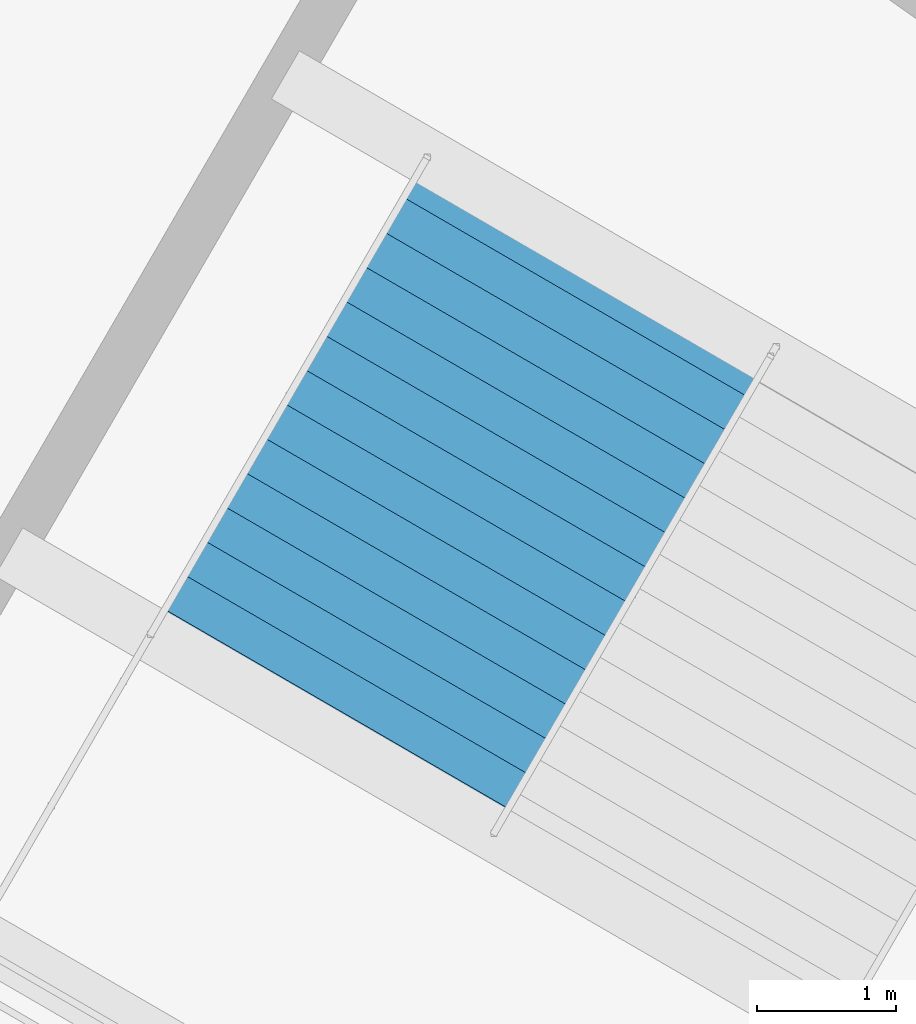
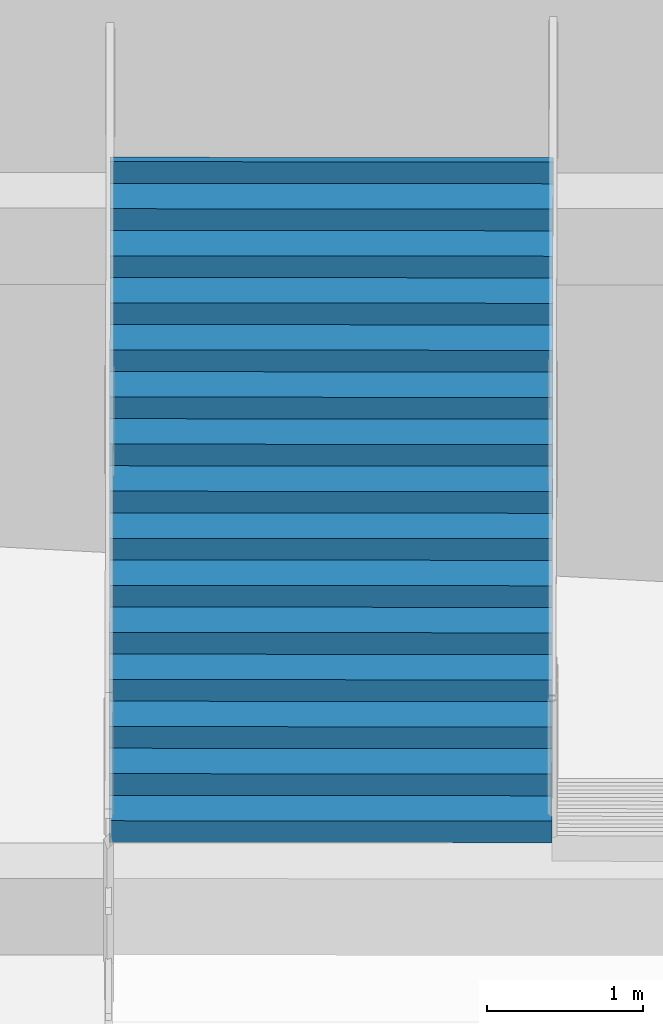
# One storey, part 168 of 184: 1 stair flight, 1 element without a shape of its own.
"""IFC4 building model written with IfcOpenShell, lengths in metres."""

from ifc_helpers import new_model, si_unit, direction, frame, origin, place, context, subcontext, project, spatial, polygons, material, type_object, element, aggregate, save


model = new_model("IFC4")

# Units and contexts
model_context = context("Model", 3, precision=1e-05, world=origin(), true_north=direction((0.0, 1.0)))
body_context = subcontext(model_context, "Body", "Model", "MODEL_VIEW")
ifc_project = project(units=[si_unit("LENGTHUNIT", "METRE"), si_unit("AREAUNIT", "SQUARE_METRE"), si_unit("VOLUMEUNIT", "CUBIC_METRE"), si_unit("PLANEANGLEUNIT", "RADIAN"), si_unit("MASSUNIT", "GRAM", prefix="KILO")], contexts=[model_context])

# Site, building, storey
site_placement = place(None, origin())
site = spatial("IfcSite", under=ifc_project, at=site_placement, CompositionType="ELEMENT")
building_placement = place(site_placement, origin())
building = spatial("IfcBuilding", under=site, at=building_placement, Name="Kazemori Nagisa Stadium", CompositionType="ELEMENT")
storey_placement = place(building_placement, frame((0.0, 0.0, 10.5400390625)))
storey = spatial("IfcBuildingStorey", under=building, at=storey_placement, Name="L02", CompositionType="ELEMENT", Elevation=10.5400390625)

# Stair, stair flight
ifc_material = material(Name="Concrete C36/45 (Fc36)", Category="concrete")
stair_type = type_object("IfcStairType", Name="Stair_CORE_30", PredefinedType="TWO_STRAIGHT_RUN_STAIR", material=ifc_material)
stair_placement = place(storey_placement, origin())
stair = element("IfcStair", 1, at=stair_placement, inside=storey, type_object=stair_type, Name="Exit stair ST08 L02", PredefinedType="TWO_STRAIGHT_RUN_STAIR")
stair_flight_type = type_object("IfcStairFlightType", Name="Flight_CORE_15", PredefinedType="STRAIGHT", material=ifc_material)
stair_flight_placement = place(storey_placement, frame((45.01123046875, 148.590087890625, 2.550048828125), z_axis=(0.0, 0.0, 1.0), x_axis=(0.501624683017, 0.86508535844, 0.0)))
stair_flight = element("IfcStairFlight", 2, at=stair_flight_placement, type_object=stair_flight_type, Name="Exit stair ST08 L02 flight 2", NumberOfRisers=15, NumberOfTreads=14, PredefinedType="STRAIGHT", RiserHeight=0.17, TreadLength=0.285, context=body_context, shape_type="Tessellation", body=[
    polygons([(0.0, -1.425048828125, 0.0), (0.0, -1.425048828125, 0.169921875), (0.284912109375, -1.425048828125, 0.169921875), (0.284912109375, -1.425048828125, 0.340087890625), (0.570068359375, -1.425048828125, 0.340087890625), (0.570068359375, -1.425048828125, 0.510009765625), (0.85498046875, -1.425048828125, 0.510009765625), (0.85498046875, -1.425048828125, 0.679931640625), (1.139892578125, -1.425048828125, 0.679931640625), (1.139892578125, -1.425048828125, 0.85009765625), (1.425048828125, -1.425048828125, 0.85009765625), (1.425048828125, -1.425048828125, 1.02001953125), (1.7099609375, -1.425048828125, 1.02001953125), (1.7099609375, -1.425048828125, 1.18994140625), (1.9951171875, -1.425048828125, 1.18994140625), (1.9951171875, -1.425048828125, 1.360107421875), (2.280029296875, -1.425048828125, 1.360107421875), (2.280029296875, -1.425048828125, 1.530029296875), (2.56494140625, -1.425048828125, 1.530029296875), (2.56494140625, -1.425048828125, 1.699951171875), (2.85009765625, -1.425048828125, 1.699951171875), (2.85009765625, -1.425048828125, 1.8701171875), (3.135009765625, -1.425048828125, 1.8701171875), (3.135009765625, -1.425048828125, 2.0400390625), (3.419921875, -1.425048828125, 2.0400390625), (3.419921875, -1.425048828125, 2.2099609375), (3.705078125, -1.425048828125, 2.2099609375), (3.705078125, -1.425048828125, 2.3798828125), (3.989990234375, -1.425048828125, 2.3798828125), (3.989990234375, -1.425048828125, 2.550048828125), (4.0400390625, -1.425048828125, 2.550048828125), (4.0400390625, -1.425048828125, 2.177001953125), (3.989990234375, -1.425048828125, 2.147216796875), (3.705078125, -1.425048828125, 1.977294921875), (3.419921875, -1.425048828125, 1.80712890625), (3.135009765625, -1.425048828125, 1.63720703125), (2.85009765625, -1.425048828125, 1.46728515625), (2.56494140625, -1.425048828125, 1.297119140625), (2.280029296875, -1.425048828125, 1.127197265625), (1.9951171875, -1.425048828125, 0.957275390625), (1.7099609375, -1.425048828125, 0.787109375), (1.425048828125, -1.425048828125, 0.6171875), (1.139892578125, -1.425048828125, 0.447265625), (0.85498046875, -1.425048828125, 0.277099609375), (0.570068359375, -1.425048828125, 0.107177734375), (0.284912109375, -1.425048828125, 0.0), (0.0, -0.08544921875, 0.0), (0.0, -0.08544921875, 0.169921875), (0.284912109375, -0.08544921875, 0.169921875), (0.284912109375, -0.08544921875, 0.340087890625), (0.570068359375, -0.08544921875, 0.340087890625), (0.570068359375, -0.08544921875, 0.510009765625), (0.85498046875, -0.08544921875, 0.510009765625), (0.85498046875, -0.08544921875, 0.679931640625), (1.139892578125, -0.08544921875, 0.679931640625), (1.139892578125, -0.08544921875, 0.85009765625), (1.425048828125, -0.08544921875, 0.85009765625), (1.425048828125, -0.08544921875, 1.02001953125), (1.7099609375, -0.08544921875, 1.02001953125), (1.7099609375, -0.08544921875, 1.18994140625), (1.9951171875, -0.08544921875, 1.18994140625), (1.9951171875, -0.08544921875, 1.360107421875), (2.280029296875, -0.08544921875, 1.360107421875), (2.280029296875, -0.08544921875, 1.530029296875), (2.56494140625, -0.08544921875, 1.530029296875), (2.56494140625, -0.08544921875, 1.699951171875), (2.85009765625, -0.08544921875, 1.699951171875), (2.85009765625, -0.08544921875, 1.8701171875), (3.135009765625, -0.08544921875, 1.8701171875), (3.135009765625, -0.08544921875, 2.0400390625), (3.419921875, -0.08544921875, 2.0400390625), (3.419921875, -0.08544921875, 2.2099609375), (3.705078125, -0.08544921875, 2.2099609375), (3.705078125, -0.08544921875, 2.3798828125), (3.989990234375, -0.08544921875, 2.3798828125), (3.989990234375, -0.08544921875, 2.550048828125), (4.0400390625, -0.08544921875, 2.550048828125), (4.0400390625, -0.08544921875, 2.177001953125), (3.989990234375, -0.08544921875, 2.147216796875), (3.705078125, -0.08544921875, 1.977294921875), (3.419921875, -0.08544921875, 1.80712890625), (3.135009765625, -0.08544921875, 1.63720703125), (2.85009765625, -0.08544921875, 1.46728515625), (2.56494140625, -0.08544921875, 1.297119140625), (2.280029296875, -0.08544921875, 1.127197265625), (1.9951171875, -0.08544921875, 0.957275390625), (1.7099609375, -0.08544921875, 0.787109375), (1.425048828125, -0.08544921875, 0.6171875), (1.139892578125, -0.08544921875, 0.447265625), (0.85498046875, -0.08544921875, 0.277099609375), (0.570068359375, -0.08544921875, 0.107177734375), (0.284912109375, -0.08544921875, 0.0), (0.0, 0.0, 0.0), (0.0, 0.0, 0.169921875), (0.284912109375, 0.0, 0.169921875), (0.284912109375, 0.0, 0.340087890625), (0.570068359375, 0.0, 0.340087890625), (0.570068359375, 0.0, 0.510009765625), (0.85498046875, 0.0, 0.510009765625), (0.85498046875, 0.0, 0.679931640625), (1.139892578125, 0.0, 0.679931640625), (1.139892578125, 0.0, 0.85009765625), (1.425048828125, 0.0, 0.85009765625), (1.425048828125, 0.0, 1.02001953125), (1.7099609375, 0.0, 1.02001953125), (1.7099609375, 0.0, 1.18994140625), (1.9951171875, 0.0, 1.18994140625), (1.9951171875, 0.0, 1.360107421875), (2.280029296875, 0.0, 1.360107421875), (2.280029296875, 0.0, 1.530029296875), (2.56494140625, 0.0, 1.530029296875), (2.56494140625, 0.0, 1.699951171875), (2.85009765625, 0.0, 1.699951171875), (2.85009765625, 0.0, 1.8701171875), (3.135009765625, 0.0, 1.8701171875), (3.135009765625, 0.0, 2.0400390625), (3.419921875, 0.0, 2.0400390625), (3.419921875, 0.0, 2.2099609375), (3.705078125, 0.0, 2.2099609375), (3.705078125, 0.0, 2.3798828125), (3.989990234375, 0.0, 2.3798828125), (3.989990234375, 0.0, 2.550048828125), (4.0400390625, 0.0, 2.550048828125), (4.0400390625, 0.0, 2.177001953125), (3.989990234375, 0.0, 2.147216796875), (3.705078125, 0.0, 1.977294921875), (3.419921875, 0.0, 1.80712890625), (3.135009765625, 0.0, 1.63720703125), (2.85009765625, 0.0, 1.46728515625), (2.56494140625, 0.0, 1.297119140625), (2.280029296875, 0.0, 1.127197265625), (1.9951171875, 0.0, 0.957275390625), (1.7099609375, 0.0, 0.787109375), (1.425048828125, 0.0, 0.6171875), (1.139892578125, 0.0, 0.447265625), (0.85498046875, 0.0, 0.277099609375), (0.570068359375, 0.0, 0.107177734375), (0.284912109375, 0.0, 0.0), (0.0, 0.08544921875, 0.0), (0.0, 0.08544921875, 0.169921875), (0.284912109375, 0.08544921875, 0.169921875), (0.284912109375, 0.08544921875, 0.340087890625), (0.570068359375, 0.08544921875, 0.340087890625), (0.570068359375, 0.08544921875, 0.510009765625), (0.85498046875, 0.08544921875, 0.510009765625), (0.85498046875, 0.08544921875, 0.679931640625), (1.139892578125, 0.08544921875, 0.679931640625), (1.139892578125, 0.08544921875, 0.85009765625), (1.425048828125, 0.08544921875, 0.85009765625), (1.425048828125, 0.08544921875, 1.02001953125), (1.7099609375, 0.08544921875, 1.02001953125), (1.7099609375, 0.08544921875, 1.18994140625), (1.9951171875, 0.08544921875, 1.18994140625), (1.9951171875, 0.08544921875, 1.360107421875), (2.280029296875, 0.08544921875, 1.360107421875), (2.280029296875, 0.08544921875, 1.530029296875), (2.56494140625, 0.08544921875, 1.530029296875), (2.56494140625, 0.08544921875, 1.699951171875), (2.85009765625, 0.08544921875, 1.699951171875), (2.85009765625, 0.08544921875, 1.8701171875), (3.135009765625, 0.08544921875, 1.8701171875), (3.135009765625, 0.08544921875, 2.0400390625), (3.419921875, 0.08544921875, 2.0400390625), (3.419921875, 0.08544921875, 2.2099609375), (3.705078125, 0.08544921875, 2.2099609375), (3.705078125, 0.08544921875, 2.3798828125), (3.989990234375, 0.08544921875, 2.3798828125), (3.989990234375, 0.08544921875, 2.550048828125), (4.0400390625, 0.08544921875, 2.550048828125), (4.0400390625, 0.08544921875, 2.177001953125), (3.989990234375, 0.08544921875, 2.147216796875), (3.705078125, 0.08544921875, 1.977294921875), (3.419921875, 0.08544921875, 1.80712890625), (3.135009765625, 0.08544921875, 1.63720703125), (2.85009765625, 0.08544921875, 1.46728515625), (2.56494140625, 0.08544921875, 1.297119140625), (2.280029296875, 0.08544921875, 1.127197265625), (1.9951171875, 0.08544921875, 0.957275390625), (1.7099609375, 0.08544921875, 0.787109375), (1.425048828125, 0.08544921875, 0.6171875), (1.139892578125, 0.08544921875, 0.447265625), (0.85498046875, 0.08544921875, 0.277099609375), (0.570068359375, 0.08544921875, 0.107177734375), (0.284912109375, 0.08544921875, 0.0), (0.0, 1.425048828125, 0.0), (0.0, 1.425048828125, 0.169921875), (0.284912109375, 1.425048828125, 0.169921875), (0.284912109375, 1.425048828125, 0.340087890625), (0.570068359375, 1.425048828125, 0.340087890625), (0.570068359375, 1.425048828125, 0.510009765625), (0.85498046875, 1.425048828125, 0.510009765625), (0.85498046875, 1.425048828125, 0.679931640625), (1.139892578125, 1.425048828125, 0.679931640625), (1.139892578125, 1.425048828125, 0.85009765625), (1.425048828125, 1.425048828125, 0.85009765625), (1.425048828125, 1.425048828125, 1.02001953125), (1.7099609375, 1.425048828125, 1.02001953125), (1.7099609375, 1.425048828125, 1.18994140625), (1.9951171875, 1.425048828125, 1.18994140625), (1.9951171875, 1.425048828125, 1.360107421875), (2.280029296875, 1.425048828125, 1.360107421875), (2.280029296875, 1.425048828125, 1.530029296875), (2.56494140625, 1.425048828125, 1.530029296875), (2.56494140625, 1.425048828125, 1.699951171875), (2.85009765625, 1.425048828125, 1.699951171875), (2.85009765625, 1.425048828125, 1.8701171875), (3.135009765625, 1.425048828125, 1.8701171875), (3.135009765625, 1.425048828125, 2.0400390625), (3.419921875, 1.425048828125, 2.0400390625), (3.419921875, 1.425048828125, 2.2099609375), (3.705078125, 1.425048828125, 2.2099609375), (3.705078125, 1.425048828125, 2.3798828125), (3.989990234375, 1.425048828125, 2.3798828125), (3.989990234375, 1.425048828125, 2.550048828125), (4.0400390625, 1.425048828125, 2.550048828125), (4.0400390625, 1.425048828125, 2.177001953125), (3.989990234375, 1.425048828125, 2.147216796875), (3.705078125, 1.425048828125, 1.977294921875), (3.419921875, 1.425048828125, 1.80712890625), (3.135009765625, 1.425048828125, 1.63720703125), (2.85009765625, 1.425048828125, 1.46728515625), (2.56494140625, 1.425048828125, 1.297119140625), (2.280029296875, 1.425048828125, 1.127197265625), (1.9951171875, 1.425048828125, 0.957275390625), (1.7099609375, 1.425048828125, 0.787109375), (1.425048828125, 1.425048828125, 0.6171875), (1.139892578125, 1.425048828125, 0.447265625), (0.85498046875, 1.425048828125, 0.277099609375), (0.570068359375, 1.425048828125, 0.107177734375), (0.284912109375, 1.425048828125, 0.0)], [[[1, 2, 48]], [[1, 48, 47]], [[2, 3, 49]], [[2, 49, 48]], [[3, 4, 50]], [[3, 50, 49]], [[4, 5, 51]], [[4, 51, 50]], [[5, 6, 52]], [[5, 52, 51]], [[6, 7, 53]], [[6, 53, 52]], [[7, 8, 54]], [[7, 54, 53]], [[8, 9, 55]], [[8, 55, 54]], [[9, 10, 56]], [[9, 56, 55]], [[10, 11, 57]], [[10, 57, 56]], [[11, 12, 58]], [[11, 58, 57]], [[12, 13, 59]], [[12, 59, 58]], [[13, 14, 60]], [[13, 60, 59]], [[14, 15, 61]], [[14, 61, 60]], [[15, 16, 62]], [[15, 62, 61]], [[16, 17, 63]], [[16, 63, 62]], [[17, 18, 64]], [[17, 64, 63]], [[18, 19, 65]], [[18, 65, 64]], [[19, 20, 66]], [[19, 66, 65]], [[20, 21, 67]], [[20, 67, 66]], [[21, 22, 68]], [[21, 68, 67]], [[22, 23, 69]], [[22, 69, 68]], [[23, 24, 70]], [[23, 70, 69]], [[24, 25, 71]], [[24, 71, 70]], [[25, 26, 72]], [[25, 72, 71]], [[26, 27, 73]], [[26, 73, 72]], [[27, 28, 74]], [[27, 74, 73]], [[28, 29, 75]], [[28, 75, 74]], [[29, 30, 76]], [[29, 76, 75]], [[30, 31, 77]], [[30, 77, 76]], [[31, 32, 78]], [[31, 78, 77]], [[32, 33, 79]], [[32, 79, 78]], [[33, 34, 80]], [[33, 80, 79]], [[34, 35, 81]], [[34, 81, 80]], [[35, 36, 82]], [[35, 82, 81]], [[36, 37, 83]], [[36, 83, 82]], [[37, 38, 84]], [[37, 84, 83]], [[38, 39, 85]], [[38, 85, 84]], [[39, 40, 86]], [[39, 86, 85]], [[40, 41, 87]], [[40, 87, 86]], [[41, 42, 88]], [[41, 88, 87]], [[42, 43, 89]], [[42, 89, 88]], [[43, 44, 90]], [[43, 90, 89]], [[44, 45, 91]], [[44, 91, 90]], [[45, 46, 92]], [[45, 92, 91]], [[46, 1, 47]], [[46, 47, 92]], [[47, 48, 94]], [[47, 94, 93]], [[48, 49, 95]], [[48, 95, 94]], [[49, 50, 96]], [[49, 96, 95]], [[50, 51, 97]], [[50, 97, 96]], [[51, 52, 98]], [[51, 98, 97]], [[52, 53, 99]], [[52, 99, 98]], [[53, 54, 100]], [[53, 100, 99]], [[54, 55, 101]], [[54, 101, 100]], [[55, 56, 102]], [[55, 102, 101]], [[56, 57, 103]], [[56, 103, 102]], [[57, 58, 104]], [[57, 104, 103]], [[58, 59, 105]], [[58, 105, 104]], [[59, 60, 106]], [[59, 106, 105]], [[60, 61, 107]], [[60, 107, 106]], [[61, 62, 108]], [[61, 108, 107]], [[62, 63, 109]], [[62, 109, 108]], [[63, 64, 110]], [[63, 110, 109]], [[64, 65, 111]], [[64, 111, 110]], [[65, 66, 112]], [[65, 112, 111]], [[66, 67, 113]], [[66, 113, 112]], [[67, 68, 114]], [[67, 114, 113]], [[68, 69, 115]], [[68, 115, 114]], [[69, 70, 116]], [[69, 116, 115]], [[70, 71, 117]], [[70, 117, 116]], [[71, 72, 118]], [[71, 118, 117]], [[72, 73, 119]], [[72, 119, 118]], [[73, 74, 120]], [[73, 120, 119]], [[74, 75, 121]], [[74, 121, 120]], [[75, 76, 122]], [[75, 122, 121]], [[76, 77, 123]], [[76, 123, 122]], [[77, 78, 124]], [[77, 124, 123]], [[78, 79, 125]], [[78, 125, 124]], [[79, 80, 126]], [[79, 126, 125]], [[80, 81, 127]], [[80, 127, 126]], [[81, 82, 128]], [[81, 128, 127]], [[82, 83, 129]], [[82, 129, 128]], [[83, 84, 130]], [[83, 130, 129]], [[84, 85, 131]], [[84, 131, 130]], [[85, 86, 132]], [[85, 132, 131]], [[86, 87, 133]], [[86, 133, 132]], [[87, 88, 134]], [[87, 134, 133]], [[88, 89, 135]], [[88, 135, 134]], [[89, 90, 136]], [[89, 136, 135]], [[90, 91, 137]], [[90, 137, 136]], [[91, 92, 138]], [[91, 138, 137]], [[92, 47, 93]], [[92, 93, 138]], [[93, 94, 140]], [[93, 140, 139]], [[94, 95, 141]], [[94, 141, 140]], [[95, 96, 142]], [[95, 142, 141]], [[96, 97, 143]], [[96, 143, 142]], [[97, 98, 144]], [[97, 144, 143]], [[98, 99, 145]], [[98, 145, 144]], [[99, 100, 146]], [[99, 146, 145]], [[100, 101, 147]], [[100, 147, 146]], [[101, 102, 148]], [[101, 148, 147]], [[102, 103, 149]], [[102, 149, 148]], [[103, 104, 150]], [[103, 150, 149]], [[104, 105, 151]], [[104, 151, 150]], [[105, 106, 152]], [[105, 152, 151]], [[106, 107, 153]], [[106, 153, 152]], [[107, 108, 154]], [[107, 154, 153]], [[108, 109, 155]], [[108, 155, 154]], [[109, 110, 156]], [[109, 156, 155]], [[110, 111, 157]], [[110, 157, 156]], [[111, 112, 158]], [[111, 158, 157]], [[112, 113, 159]], [[112, 159, 158]], [[113, 114, 160]], [[113, 160, 159]], [[114, 115, 161]], [[114, 161, 160]], [[115, 116, 162]], [[115, 162, 161]], [[116, 117, 163]], [[116, 163, 162]], [[117, 118, 164]], [[117, 164, 163]], [[118, 119, 165]], [[118, 165, 164]], [[119, 120, 166]], [[119, 166, 165]], [[120, 121, 167]], [[120, 167, 166]], [[121, 122, 168]], [[121, 168, 167]], [[122, 123, 169]], [[122, 169, 168]], [[123, 124, 170]], [[123, 170, 169]], [[124, 125, 171]], [[124, 171, 170]], [[125, 126, 172]], [[125, 172, 171]], [[126, 127, 173]], [[126, 173, 172]], [[127, 128, 174]], [[127, 174, 173]], [[128, 129, 175]], [[128, 175, 174]], [[129, 130, 176]], [[129, 176, 175]], [[130, 131, 177]], [[130, 177, 176]], [[131, 132, 178]], [[131, 178, 177]], [[132, 133, 179]], [[132, 179, 178]], [[133, 134, 180]], [[133, 180, 179]], [[134, 135, 181]], [[134, 181, 180]], [[135, 136, 182]], [[135, 182, 181]], [[136, 137, 183]], [[136, 183, 182]], [[137, 138, 184]], [[137, 184, 183]], [[138, 93, 139]], [[138, 139, 184]], [[139, 140, 186]], [[139, 186, 185]], [[140, 141, 187]], [[140, 187, 186]], [[141, 142, 188]], [[141, 188, 187]], [[142, 143, 189]], [[142, 189, 188]], [[143, 144, 190]], [[143, 190, 189]], [[144, 145, 191]], [[144, 191, 190]], [[145, 146, 192]], [[145, 192, 191]], [[146, 147, 193]], [[146, 193, 192]], [[147, 148, 194]], [[147, 194, 193]], [[148, 149, 195]], [[148, 195, 194]], [[149, 150, 196]], [[149, 196, 195]], [[150, 151, 197]], [[150, 197, 196]], [[151, 152, 198]], [[151, 198, 197]], [[152, 153, 199]], [[152, 199, 198]], [[153, 154, 200]], [[153, 200, 199]], [[154, 155, 201]], [[154, 201, 200]], [[155, 156, 202]], [[155, 202, 201]], [[156, 157, 203]], [[156, 203, 202]], [[157, 158, 204]], [[157, 204, 203]], [[158, 159, 205]], [[158, 205, 204]], [[159, 160, 206]], [[159, 206, 205]], [[160, 161, 207]], [[160, 207, 206]], [[161, 162, 208]], [[161, 208, 207]], [[162, 163, 209]], [[162, 209, 208]], [[163, 164, 210]], [[163, 210, 209]], [[164, 165, 211]], [[164, 211, 210]], [[165, 166, 212]], [[165, 212, 211]], [[166, 167, 213]], [[166, 213, 212]], [[167, 168, 214]], [[167, 214, 213]], [[168, 169, 215]], [[168, 215, 214]], [[169, 170, 216]], [[169, 216, 215]], [[170, 171, 217]], [[170, 217, 216]], [[171, 172, 218]], [[171, 218, 217]], [[172, 173, 219]], [[172, 219, 218]], [[173, 174, 220]], [[173, 220, 219]], [[174, 175, 221]], [[174, 221, 220]], [[175, 176, 222]], [[175, 222, 221]], [[176, 177, 223]], [[176, 223, 222]], [[177, 178, 224]], [[177, 224, 223]], [[178, 179, 225]], [[178, 225, 224]], [[179, 180, 226]], [[179, 226, 225]], [[180, 181, 227]], [[180, 227, 226]], [[181, 182, 228]], [[181, 228, 227]], [[182, 183, 229]], [[182, 229, 228]], [[183, 184, 230]], [[183, 230, 229]], [[184, 139, 185]], [[184, 185, 230]], [[3, 2, 1]], [[185, 186, 187]], [[46, 3, 1]], [[185, 187, 230]], [[45, 3, 46]], [[230, 187, 229]], [[5, 3, 45]], [[229, 187, 189]], [[5, 4, 3]], [[187, 188, 189]], [[44, 5, 45]], [[229, 189, 228]], [[7, 5, 44]], [[228, 189, 191]], [[7, 6, 5]], [[189, 190, 191]], [[43, 7, 44]], [[228, 191, 227]], [[9, 7, 43]], [[227, 191, 193]], [[9, 8, 7]], [[191, 192, 193]], [[42, 9, 43]], [[227, 193, 226]], [[11, 9, 42]], [[226, 193, 195]], [[11, 10, 9]], [[193, 194, 195]], [[41, 11, 42]], [[226, 195, 225]], [[13, 11, 41]], [[225, 195, 197]], [[13, 12, 11]], [[195, 196, 197]], [[40, 13, 41]], [[225, 197, 224]], [[15, 13, 40]], [[224, 197, 199]], [[15, 14, 13]], [[197, 198, 199]], [[39, 15, 40]], [[224, 199, 223]], [[17, 15, 39]], [[223, 199, 201]], [[17, 16, 15]], [[199, 200, 201]], [[38, 17, 39]], [[223, 201, 222]], [[19, 17, 38]], [[222, 201, 203]], [[19, 18, 17]], [[201, 202, 203]], [[37, 19, 38]], [[222, 203, 221]], [[21, 19, 37]], [[221, 203, 205]], [[21, 20, 19]], [[203, 204, 205]], [[36, 21, 37]], [[221, 205, 220]], [[23, 21, 36]], [[220, 205, 207]], [[23, 22, 21]], [[205, 206, 207]], [[35, 23, 36]], [[220, 207, 219]], [[25, 23, 35]], [[219, 207, 209]], [[25, 24, 23]], [[207, 208, 209]], [[34, 25, 35]], [[219, 209, 218]], [[27, 25, 34]], [[218, 209, 211]], [[27, 26, 25]], [[209, 210, 211]], [[33, 27, 34]], [[218, 211, 217]], [[29, 27, 33]], [[217, 211, 213]], [[29, 28, 27]], [[211, 212, 213]], [[32, 29, 33]], [[217, 213, 216]], [[31, 29, 32]], [[216, 213, 215]], [[31, 30, 29]], [[213, 214, 215]]], closed=True),
])
aggregate(stair, [stair_flight])

save(model, "model.ifc")
